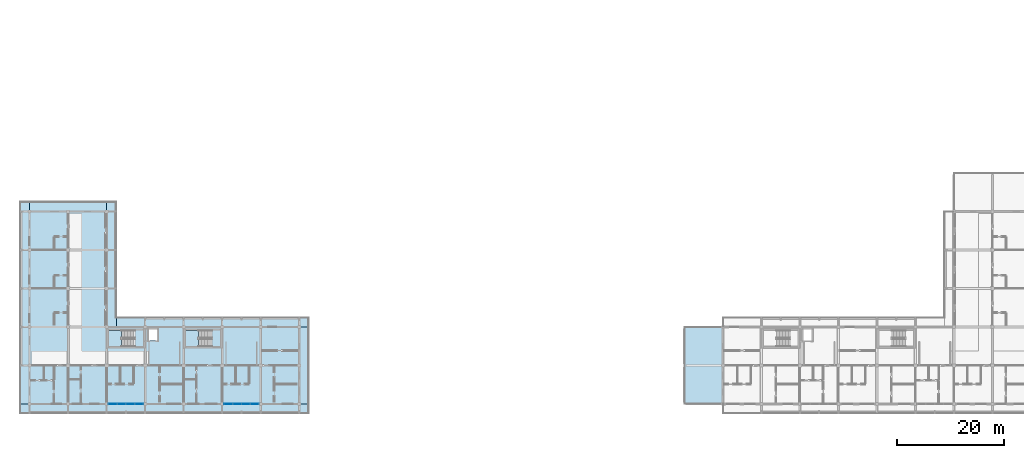
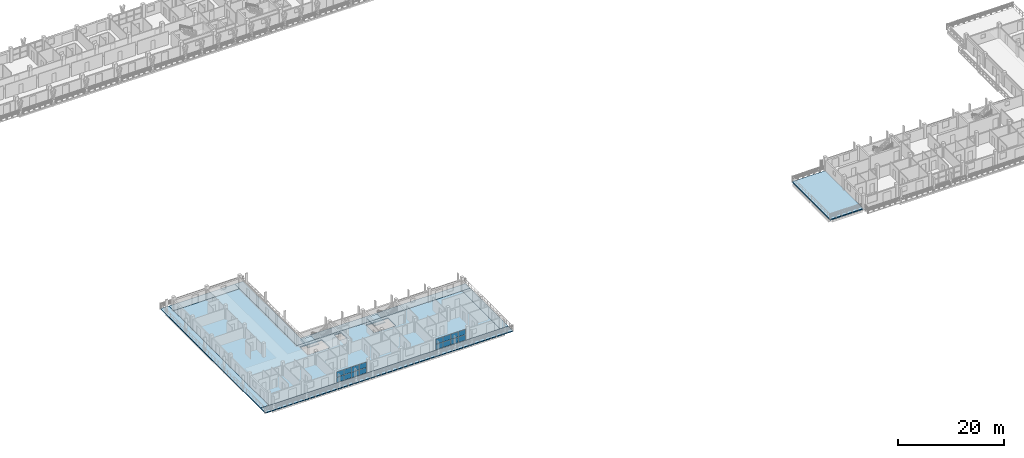
# One storey, part 33 of 75: 16 plates, 10 slabs, 4 elements without a shape of their own.
"""IFC4 building model written with IfcOpenShell, lengths in metres."""

import ifcopenshell
import ifcopenshell.guid

model = None  # the IFC model being written
_history = None  # IfcOwnerHistory: only IFC2X3 demands one
_inside = {}  # id of a spatial element -> (the spatial element, [elements in it])
_under = {}  # id of a project, library or spatial element -> (it, [spatial elements below it])
_declared = {}  # id of a project -> (the project, [libraries it declares])
_typed = {}  # id of a type object -> (the type object, [elements of that type])
_made_of = {}  # id of a material, layer set ... -> (it, [elements and type objects made of it])


def new_model(schema):
    """Start an empty IFC model of exactly this schema.

    Asked for "IFC4X3", IfcOpenShell would pick the latest addendum, in which some entities
    have other attributes; the version numbers below select the first issue.
    IFC2X3 requires an IfcOwnerHistory on every rooted entity: one is made here for all.
    """
    global model, _history
    if schema == "IFC4X3":
        model = ifcopenshell.file(schema_version=(4, 3, 0, 0))
    else:
        model = ifcopenshell.file(schema=schema)
    _inside.clear()
    _under.clear()
    _declared.clear()
    _typed.clear()
    _made_of.clear()
    _history = None
    if model.schema == "IFC2X3":
        org = make("IfcOrganization", Name="unknown")
        user = make(
            "IfcPersonAndOrganization",
            ThePerson=make("IfcPerson", FamilyName="unknown"),
            TheOrganization=org,
        )
        app = make(
            "IfcApplication",
            ApplicationDeveloper=org,
            Version="unknown",
            ApplicationFullName="unknown",
            ApplicationIdentifier="unknown",
        )
        _history = make(
            "IfcOwnerHistory",
            OwningUser=user,
            OwningApplication=app,
            ChangeAction="ADDED",
            CreationDate=0,
        )
    return model


def make(cls, **values):
    """One entity of the class cls with the attributes given. An attribute that is None is left unset."""
    return model.create_entity(
        cls, **{name: value for name, value in values.items() if value is not None}
    )


def rooted(cls, **values):
    """An entity with a GlobalId (a new one), such as an element, a storey or a relation."""
    return make(cls, GlobalId=ifcopenshell.guid.new(), OwnerHistory=_history, **values)


def si_unit(unit_type, name, prefix=None):
    """IfcSIUnit, for example si_unit("LENGTHUNIT", "METRE", prefix="MILLI")."""
    return make("IfcSIUnit", UnitType=unit_type, Prefix=prefix, Name=name)


def assignment(units):
    """IfcUnitAssignment: the units of a project."""
    return None if units is None else make("IfcUnitAssignment", Units=units)


def point(xyz):
    """IfcCartesianPoint."""
    return None if xyz is None else make("IfcCartesianPoint", Coordinates=xyz)


def direction(xyz):
    """IfcDirection."""
    return None if xyz is None else make("IfcDirection", DirectionRatios=xyz)


def frame(location, z_axis=None, x_axis=None):
    """IfcAxis2Placement3D, a coordinate frame: its origin and axes. An axis left out is left unset."""
    return make(
        "IfcAxis2Placement3D",
        Location=point(location),
        Axis=direction(z_axis),
        RefDirection=direction(x_axis),
    )


def frame_2d(location, x_axis=None):
    """IfcAxis2Placement2D, a coordinate frame in the plane: its origin and x axis."""
    return make(
        "IfcAxis2Placement2D", Location=point(location), RefDirection=direction(x_axis)
    )


def origin():
    """The frame at (0, 0, 0) with its axes left unset."""
    return frame((0.0, 0.0, 0.0))


def origin_2d():
    """The frame at (0, 0) in the plane with its x axis left unset."""
    return frame_2d((0.0, 0.0))


def place(relative_to, where):
    """IfcLocalPlacement: puts the frame where relative to a parent placement (None: the world)."""
    return make(
        "IfcLocalPlacement", PlacementRelTo=relative_to, RelativePlacement=where
    )


def context(
    kind, dimensions, precision=None, world=None, true_north=None, identifier=None
):
    """IfcGeometricRepresentationContext, for example the 3D "Model" context."""
    return make(
        "IfcGeometricRepresentationContext",
        ContextIdentifier=identifier,
        ContextType=kind,
        CoordinateSpaceDimension=dimensions,
        Precision=precision,
        WorldCoordinateSystem=world,
        TrueNorth=true_north,
    )


def subcontext(parent, identifier, kind, view, scale=None):
    """IfcGeometricRepresentationSubContext, for example "Body" below "Model"."""
    return make(
        "IfcGeometricRepresentationSubContext",
        ContextIdentifier=identifier,
        ContextType=kind,
        ParentContext=parent,
        TargetScale=scale,
        TargetView=view,
    )


def project(units=None, contexts=None):
    """IfcProject with its units and contexts."""
    return rooted(
        "IfcProject",
        Name="project",
        RepresentationContexts=contexts,
        UnitsInContext=assignment(units),
    )


def spatial(cls, under=None, at=None, **own):
    """A site, building, storey or space (cls), placed at a placement, below another one or the project."""
    s = rooted(cls, ObjectPlacement=at, **own)
    if under is not None:
        _under.setdefault(under.id(), (under, []))[1].append(s)
    return s


def polyline(points):
    """IfcPolyline through the points."""
    return make("IfcPolyline", Points=[point(p) for p in points])


def profile(cls, at=None, kind="AREA", **sizes):
    """A parametric profile (cls). Its sizes go by their IFC names, for example OverallWidth=200.0."""
    return make(cls, ProfileType=kind, Position=at, **sizes)


def rectangle(**sizes):
    """IfcRectangleProfileDef."""
    return profile("IfcRectangleProfileDef", **sizes)


def outline(outer, holes=None, kind="AREA"):
    """IfcArbitraryClosedProfileDef: a profile drawn as a closed curve; with holes, ...WithVoids."""
    if holes is None:
        return make("IfcArbitraryClosedProfileDef", ProfileType=kind, OuterCurve=outer)
    return make(
        "IfcArbitraryProfileDefWithVoids",
        ProfileType=kind,
        OuterCurve=outer,
        InnerCurves=holes,
    )


def extrude(swept, where, along, depth):
    """IfcExtrudedAreaSolid: the profile swept, set in the frame where, extruded along a direction by depth."""
    return make(
        "IfcExtrudedAreaSolid",
        SweptArea=swept,
        Position=where,
        ExtrudedDirection=direction(along),
        Depth=depth,
    )


def shape(context_of_items, identifier, shape_type, items):
    """IfcShapeRepresentation: the items that make up one representation, for example the "Body"."""
    return make(
        "IfcShapeRepresentation",
        ContextOfItems=context_of_items,
        RepresentationIdentifier=identifier,
        RepresentationType=shape_type,
        Items=items,
    )


def material(Name=None, Category=None):
    """IfcMaterial."""
    return make("IfcMaterial", Name=Name, Category=Category)


def layer(
    of_material, thickness, ventilated=None, Name=None, Category=None, Priority=None
):
    """IfcMaterialLayer: one layer of a wall or slab, of a material (None: an air gap)."""
    return make(
        "IfcMaterialLayer",
        Material=of_material,
        LayerThickness=thickness,
        IsVentilated=ventilated,
        Name=Name,
        Category=Category,
        Priority=Priority,
    )


def layer_set(layers, Name=None):
    """IfcMaterialLayerSet."""
    return make("IfcMaterialLayerSet", MaterialLayers=layers, LayerSetName=Name)


def made_of(thing, what):
    """Note that an element or type object is made of a material, layer set ...; save() writes the relation."""
    if what is not None:
        _made_of.setdefault(what.id(), (what, []))[1].append(thing)
    return thing


def type_object(cls, material=None, **own):
    """A type object (cls), such as IfcWallType, which elements share."""
    return made_of(rooted(cls, **own), material)


def element(
    cls,
    number,
    at=None,
    inside=None,
    cuts=None,
    type_object=None,
    material=None,
    context=None,
    identifier="Body",
    shape_type=None,
    held_by="IfcProductDefinitionShape",
    body=None,
    shapes=None,
    **own,
):
    """One element of the class cls, such as IfcWall. Its Tag is "e" and its number.

    at: its placement. inside: the storey or other place that contains it. cuts: it is an
    opening in that element (IfcRelVoidsElement). A single representation is given by context,
    identifier, shape_type and body (its items); several are given by shapes. held_by: the class
    of the entity that holds the representations. save() writes the other relations.
    """
    e = rooted(cls, Tag="e%d" % number, ObjectPlacement=at, **own)
    if body is not None:
        shapes = [shape(context, identifier, shape_type, body)]
    if shapes is not None:
        e.Representation = make(held_by, Representations=shapes)
    if inside is not None:
        _inside.setdefault(inside.id(), (inside, []))[1].append(e)
    if cuts is not None:
        rooted(
            "IfcRelVoidsElement", RelatingBuildingElement=cuts, RelatedOpeningElement=e
        )
    if type_object is not None:
        _typed.setdefault(type_object.id(), (type_object, []))[1].append(e)
    return made_of(e, material)


def aggregate(whole, parts):
    """IfcRelAggregates: a whole, such as a stair, and the parts it consists of."""
    return rooted("IfcRelAggregates", RelatingObject=whole, RelatedObjects=parts)


def save(model, path):
    """Write the relations noted so far, then the file.

    IfcRelAggregates (storeys below a building ...), IfcRelContainedInSpatialStructure (elements
    in a storey), IfcRelDefinesByType, IfcRelAssociatesMaterial and IfcRelDeclares: one each for
    every whole, place, type object, material and project.
    """
    for whole, parts in _under.values():
        aggregate(whole, parts)
    for where, things in _inside.values():
        rooted(
            "IfcRelContainedInSpatialStructure",
            RelatedElements=things,
            RelatingStructure=where,
        )
    for kind, things in _typed.values():
        rooted("IfcRelDefinesByType", RelatedObjects=things, RelatingType=kind)
    for what, things in _made_of.values():
        rooted("IfcRelAssociatesMaterial", RelatedObjects=things, RelatingMaterial=what)
    for by, libraries in _declared.values():
        rooted("IfcRelDeclares", RelatingContext=by, RelatedDefinitions=libraries)
    model.write(path)


model = new_model("IFC4")

# Units and contexts
model_context = context("Model", 3, precision=1e-05, world=origin(), true_north=direction((0.0, 1.0)))
body_context = subcontext(model_context, "Body", "Model", "MODEL_VIEW")
ifc_project = project(units=[si_unit("LENGTHUNIT", "METRE"), si_unit("AREAUNIT", "SQUARE_METRE"), si_unit("VOLUMEUNIT", "CUBIC_METRE"), si_unit("PLANEANGLEUNIT", "RADIAN"), si_unit("MASSUNIT", "GRAM", prefix="KILO")], contexts=[model_context])

# Site, building, storey
site_placement = place(None, origin())
site = spatial("IfcSite", under=ifc_project, at=site_placement, CompositionType="ELEMENT")
building_placement = place(site_placement, origin())
building = spatial("IfcBuilding", under=site, at=building_placement, Name="Suanplinth Sawtooth Commons", CompositionType="ELEMENT")
storey_placement = place(building_placement, frame((0.0, 0.0, 18.60009765625)))
storey = spatial("IfcBuildingStorey", under=building, at=storey_placement, Name="L05", CompositionType="ELEMENT", Elevation=18.60009765625)

# Curtain wall, plates
ifc_material_1 = material(Name="Anodized aluminium and low-E glazing", Category="aluminium")
curtain_wall_type = type_object("IfcCurtainWallType", Name="CW-06", PredefinedType="USERDEFINED", material=ifc_material_1)
curtain_wall_1_placement = place(storey_placement, origin())
curtain_wall_1 = element("IfcCurtainWall", 1, at=curtain_wall_1_placement, inside=storey, type_object=curtain_wall_type, Name="Curtain Wall CW-L05-D-LOUNGE-2", ObjectType="CURTAIN WALL", PredefinedType="USERDEFINED")
ifc_material_2 = material(Name="Tempered low-E double glazing", Category="glass")
ifc_layer_1 = layer(ifc_material_2, 0.028076171875, Name="Vision low-E insulated glazing unit 28mm")
ifc_layer_set_1 = layer_set([ifc_layer_1], Name="Tempered low-E double glazing")
plate_type = type_object("IfcPlateType", Name="PL-05", PredefinedType="CURTAIN_PANEL", material=ifc_layer_set_1)
plate_1_placement = place(storey_placement, frame((15.541259765625, 0.0, 0.06494140625), z_axis=(0.0, 0.0, 1.0), x_axis=(1.0, 0.0, 0.0)))
plate_1 = element("IfcPlate", 2, at=plate_1_placement, type_object=plate_type, Name="CW-06 panel 1.1", PredefinedType="CURTAIN_PANEL", context=body_context, shape_type="SweptSolid", body=[
    extrude(rectangle(XDim=1.552490234375, YDim=0.028076171875, at=origin_2d()), origin(), (0.0, 0.0, 1.0), 1.20751953125),
])
plate_2_placement = place(storey_placement, frame((15.541259765625, 0.0, 1.33740234375), z_axis=(0.0, 0.0, 1.0), x_axis=(1.0, 0.0, 0.0)))
plate_2 = element("IfcPlate", 3, at=plate_2_placement, type_object=plate_type, Name="CW-06 panel 1.2", PredefinedType="CURTAIN_PANEL", context=body_context, shape_type="SweptSolid", body=[
    extrude(rectangle(XDim=1.552490234375, YDim=0.028076171875, at=origin_2d()), origin(), (0.0, 0.0, 1.0), 1.20751953125),
])
plate_3_placement = place(storey_placement, frame((17.175048828125, 0.0, 0.06494140625), z_axis=(0.0, 0.0, 1.0), x_axis=(1.0, 0.0, 0.0)))
plate_3 = element("IfcPlate", 4, at=plate_3_placement, type_object=plate_type, Name="CW-06 panel 2.1", PredefinedType="CURTAIN_PANEL", context=body_context, shape_type="SweptSolid", body=[
    extrude(rectangle(XDim=1.5849609375, YDim=0.028076171875, at=origin_2d()), origin(), (0.0, 0.0, 1.0), 1.20751953125),
])
plate_4_placement = place(storey_placement, frame((17.175048828125, 0.0, 1.33740234375), z_axis=(0.0, 0.0, 1.0), x_axis=(1.0, 0.0, 0.0)))
plate_4 = element("IfcPlate", 5, at=plate_4_placement, type_object=plate_type, Name="CW-06 panel 2.2", PredefinedType="CURTAIN_PANEL", context=body_context, shape_type="SweptSolid", body=[
    extrude(rectangle(XDim=1.5849609375, YDim=0.028076171875, at=origin_2d()), origin(), (0.0, 0.0, 1.0), 1.20751953125),
])
plate_5_placement = place(storey_placement, frame((18.824951171875, 0.0, 0.06494140625), z_axis=(0.0, 0.0, 1.0), x_axis=(1.0, 0.0, 0.0)))
plate_5 = element("IfcPlate", 6, at=plate_5_placement, type_object=plate_type, Name="CW-06 panel 3.1", PredefinedType="CURTAIN_PANEL", context=body_context, shape_type="SweptSolid", body=[
    extrude(rectangle(XDim=1.5849609375, YDim=0.028076171875, at=origin_2d()), origin(), (0.0, 0.0, 1.0), 1.20751953125),
])
plate_6_placement = place(storey_placement, frame((18.824951171875, 0.0, 1.33740234375), z_axis=(0.0, 0.0, 1.0), x_axis=(1.0, 0.0, 0.0)))
plate_6 = element("IfcPlate", 7, at=plate_6_placement, type_object=plate_type, Name="CW-06 panel 3.2", PredefinedType="CURTAIN_PANEL", context=body_context, shape_type="SweptSolid", body=[
    extrude(rectangle(XDim=1.5849609375, YDim=0.028076171875, at=origin_2d()), origin(), (0.0, 0.0, 1.0), 1.20751953125),
])
plate_7_placement = place(storey_placement, frame((20.458740234375, 0.0, 0.06494140625), z_axis=(0.0, 0.0, 1.0), x_axis=(1.0, 0.0, 0.0)))
plate_7 = element("IfcPlate", 8, at=plate_7_placement, type_object=plate_type, Name="CW-06 panel 4.1", PredefinedType="CURTAIN_PANEL", context=body_context, shape_type="SweptSolid", body=[
    extrude(rectangle(XDim=1.552490234375, YDim=0.028076171875, at=origin_2d()), origin(), (0.0, 0.0, 1.0), 1.20751953125),
])
plate_8_placement = place(storey_placement, frame((20.458740234375, 0.0, 1.33740234375), z_axis=(0.0, 0.0, 1.0), x_axis=(1.0, 0.0, 0.0)))
plate_8 = element("IfcPlate", 9, at=plate_8_placement, type_object=plate_type, Name="CW-06 panel 4.2", PredefinedType="CURTAIN_PANEL", context=body_context, shape_type="SweptSolid", body=[
    extrude(rectangle(XDim=1.552490234375, YDim=0.028076171875, at=origin_2d()), origin(), (0.0, 0.0, 1.0), 1.20751953125),
])
aggregate(curtain_wall_1, [plate_1, plate_2, plate_3, plate_4, plate_5, plate_6, plate_7, plate_8])

curtain_wall_2_placement = place(storey_placement, origin())
curtain_wall_2 = element("IfcCurtainWall", 10, at=curtain_wall_2_placement, inside=storey, type_object=curtain_wall_type, Name="Curtain Wall CW-L05-D-LOUNGE-5", ObjectType="CURTAIN WALL", PredefinedType="USERDEFINED")
plate_9_placement = place(storey_placement, frame((37.141357421875, 0.0, 0.06494140625), z_axis=(0.0, 0.0, 1.0), x_axis=(1.0, 0.0, 0.0)))
plate_9 = element("IfcPlate", 11, at=plate_9_placement, type_object=plate_type, Name="CW-06 panel 1.1", PredefinedType="CURTAIN_PANEL", context=body_context, shape_type="SweptSolid", body=[
    extrude(rectangle(XDim=1.552490234375, YDim=0.028076171875, at=origin_2d()), origin(), (0.0, 0.0, 1.0), 1.20751953125),
])
plate_10_placement = place(storey_placement, frame((37.141357421875, 0.0, 1.33740234375), z_axis=(0.0, 0.0, 1.0), x_axis=(1.0, 0.0, 0.0)))
plate_10 = element("IfcPlate", 12, at=plate_10_placement, type_object=plate_type, Name="CW-06 panel 1.2", PredefinedType="CURTAIN_PANEL", context=body_context, shape_type="SweptSolid", body=[
    extrude(rectangle(XDim=1.552490234375, YDim=0.028076171875, at=origin_2d()), origin(), (0.0, 0.0, 1.0), 1.20751953125),
])
plate_11_placement = place(storey_placement, frame((38.77490234375, 0.0, 0.06494140625), z_axis=(0.0, 0.0, 1.0), x_axis=(1.0, 0.0, 0.0)))
plate_11 = element("IfcPlate", 13, at=plate_11_placement, type_object=plate_type, Name="CW-06 panel 2.1", PredefinedType="CURTAIN_PANEL", context=body_context, shape_type="SweptSolid", body=[
    extrude(rectangle(XDim=1.5849609375, YDim=0.028076171875, at=origin_2d()), origin(), (0.0, 0.0, 1.0), 1.20751953125),
])
plate_12_placement = place(storey_placement, frame((38.77490234375, 0.0, 1.33740234375), z_axis=(0.0, 0.0, 1.0), x_axis=(1.0, 0.0, 0.0)))
plate_12 = element("IfcPlate", 14, at=plate_12_placement, type_object=plate_type, Name="CW-06 panel 2.2", PredefinedType="CURTAIN_PANEL", context=body_context, shape_type="SweptSolid", body=[
    extrude(rectangle(XDim=1.5849609375, YDim=0.028076171875, at=origin_2d()), origin(), (0.0, 0.0, 1.0), 1.20751953125),
])
plate_13_placement = place(storey_placement, frame((40.425048828125, 0.0, 0.06494140625), z_axis=(0.0, 0.0, 1.0), x_axis=(1.0, 0.0, 0.0)))
plate_13 = element("IfcPlate", 15, at=plate_13_placement, type_object=plate_type, Name="CW-06 panel 3.1", PredefinedType="CURTAIN_PANEL", context=body_context, shape_type="SweptSolid", body=[
    extrude(rectangle(XDim=1.5849609375, YDim=0.028076171875, at=origin_2d()), origin(), (0.0, 0.0, 1.0), 1.20751953125),
])
plate_14_placement = place(storey_placement, frame((40.425048828125, 0.0, 1.33740234375), z_axis=(0.0, 0.0, 1.0), x_axis=(1.0, 0.0, 0.0)))
plate_14 = element("IfcPlate", 16, at=plate_14_placement, type_object=plate_type, Name="CW-06 panel 3.2", PredefinedType="CURTAIN_PANEL", context=body_context, shape_type="SweptSolid", body=[
    extrude(rectangle(XDim=1.5849609375, YDim=0.028076171875, at=origin_2d()), origin(), (0.0, 0.0, 1.0), 1.20751953125),
])
plate_15_placement = place(storey_placement, frame((42.058837890625, 0.0, 0.06494140625), z_axis=(0.0, 0.0, 1.0), x_axis=(1.0, 0.0, 0.0)))
plate_15 = element("IfcPlate", 17, at=plate_15_placement, type_object=plate_type, Name="CW-06 panel 4.1", PredefinedType="CURTAIN_PANEL", context=body_context, shape_type="SweptSolid", body=[
    extrude(rectangle(XDim=1.552490234375, YDim=0.028076171875, at=origin_2d()), origin(), (0.0, 0.0, 1.0), 1.20751953125),
])
plate_16_placement = place(storey_placement, frame((42.058837890625, 0.0, 1.33740234375), z_axis=(0.0, 0.0, 1.0), x_axis=(1.0, 0.0, 0.0)))
plate_16 = element("IfcPlate", 18, at=plate_16_placement, type_object=plate_type, Name="CW-06 panel 4.2", PredefinedType="CURTAIN_PANEL", context=body_context, shape_type="SweptSolid", body=[
    extrude(rectangle(XDim=1.552490234375, YDim=0.028076171875, at=origin_2d()), origin(), (0.0, 0.0, 1.0), 1.20751953125),
])
aggregate(curtain_wall_2, [plate_9, plate_10, plate_11, plate_12, plate_13, plate_14, plate_15, plate_16])

# Slabs
ifc_material_3 = material(Name="Precast concrete C40/50", Category="concrete")
ifc_layer_2 = layer(ifc_material_3, 0.179931640625, Name="Wrap-around cantilevered precast balcony slab 180mm")
ifc_layer_set_2 = layer_set([ifc_layer_2], Name="Precast concrete C40/50")
slab_type_1 = type_object("IfcSlabType", Name="S-BL01", PredefinedType="FLOOR", material=ifc_layer_set_2)
slab_1_placement = place(storey_placement, frame((0.0, 0.0, -0.18017578125)))
element("IfcSlab", 19, at=slab_1_placement, inside=storey, type_object=slab_type_1, Name="L05 Block D Wrap-Around Balcony S", PredefinedType="FLOOR", context=body_context, shape_type="SweptSolid", body=[
    extrude(outline(polyline([(52.199951171875, 0.0), (52.199951171875, -1.800048828125), (-1.800048828125, -1.800048828125), (-1.800048828125, 0.0), (52.199951171875, 0.0)])), origin(), (0.0, 0.0, 1.0), 0.18017578125),
])
slab_2_placement = place(storey_placement, frame((0.0, 0.0, -0.18017578125)))
element("IfcSlab", 20, at=slab_2_placement, inside=storey, type_object=slab_type_1, Name="L05 Block D Wrap-Around Balcony W", PredefinedType="FLOOR", context=body_context, shape_type="SweptSolid", body=[
    extrude(outline(polyline([(0.0, 0.0), (-1.800048828125, 0.0), (-1.800048828125, 37.800048828125), (0.0, 37.800048828125), (0.0, 0.0)])), origin(), (0.0, 0.0, 1.0), 0.18017578125),
])
slab_3_placement = place(storey_placement, frame((0.0, 0.0, -0.18017578125)))
element("IfcSlab", 21, at=slab_3_placement, inside=storey, type_object=slab_type_1, Name="L05 Block D Wrap-Around Balcony EEND", PredefinedType="FLOOR", context=body_context, shape_type="SweptSolid", body=[
    extrude(outline(polyline([(52.199951171875, 14.39990234375), (52.199951171875, 0.0), (50.39990234375, 0.0), (50.39990234375, 14.39990234375), (52.199951171875, 14.39990234375)])), origin(), (0.0, 0.0, 1.0), 0.18017578125),
])
slab_4_placement = place(storey_placement, frame((0.0, 0.0, -0.18017578125)))
element("IfcSlab", 22, at=slab_4_placement, inside=storey, type_object=slab_type_1, Name="L05 Block D Wrap-Around Balcony NEND", PredefinedType="FLOOR", context=body_context, shape_type="SweptSolid", body=[
    extrude(outline(polyline([(0.0, 37.800048828125), (14.39990234375, 37.800048828125), (14.39990234375, 36.0), (0.0, 36.0), (0.0, 37.800048828125)])), origin(), (0.0, 0.0, 1.0), 0.18017578125),
])
ifc_layer_3 = layer(ifc_material_3, 0.175048828125, Name="Courtyard cantilevered precast balcony slab 175mm")
ifc_layer_set_3 = layer_set([ifc_layer_3], Name="Precast concrete C40/50")
slab_type_2 = type_object("IfcSlabType", Name="S-BL02", PredefinedType="FLOOR", material=ifc_layer_set_3)
slab_5_placement = place(storey_placement, frame((0.0, 0.0, -0.175048828125)))
element("IfcSlab", 23, at=slab_5_placement, inside=storey, type_object=slab_type_2, Name="L05 Block D Wrap-Around Balcony NC", PredefinedType="FLOOR", context=body_context, shape_type="SweptSolid", body=[
    extrude(outline(polyline([(16.199951171875, 16.199951171875), (52.199951171875, 16.199951171875), (52.199951171875, 14.39990234375), (16.199951171875, 14.39990234375), (16.199951171875, 16.199951171875)])), origin(), (0.0, 0.0, 1.0), 0.175048828125),
])
slab_6_placement = place(storey_placement, frame((0.0, 0.0, -0.175048828125)))
element("IfcSlab", 24, at=slab_6_placement, inside=storey, type_object=slab_type_2, Name="L05 Block D Wrap-Around Balcony EC", PredefinedType="FLOOR", context=body_context, shape_type="SweptSolid", body=[
    extrude(outline(polyline([(14.39990234375, 37.800048828125), (16.199951171875, 37.800048828125), (16.199951171875, 14.39990234375), (14.39990234375, 14.39990234375), (14.39990234375, 37.800048828125)])), origin(), (0.0, 0.0, 1.0), 0.175048828125),
])
ifc_layer_4 = layer(ifc_material_3, 0.25, Name="Precast hollow-core + topping floor slab 250mm")
ifc_layer_set_4 = layer_set([ifc_layer_4], Name="Precast concrete C40/50")
slab_type_3 = type_object("IfcSlabType", Name="S-FL01", PredefinedType="FLOOR", material=ifc_layer_set_4)
slab_7_placement = place(storey_placement, frame((0.0, 0.0, -0.25)))
element("IfcSlab", 25, at=slab_7_placement, inside=storey, type_object=slab_type_3, Name="L05 Block D Structural Floor Plate", PredefinedType="FLOOR", context=body_context, shape_type="SweptSolid", body=[
    extrude(outline(polyline([(0.0, 0.0), (0.0, 36.0), (14.39990234375, 36.0), (14.39990234375, 14.39990234375), (50.39990234375, 14.39990234375), (50.39990234375, 0.0), (0.0, 0.0)]), holes=[polyline([(14.75, 10.75), (19.510009765625, 10.75), (19.510009765625, 13.75), (14.75, 13.75), (14.75, 10.75)]), polyline([(22.25, 11.85009765625), (23.85009765625, 11.85009765625), (23.85009765625, 13.949951171875), (22.25, 13.949951171875), (22.25, 11.85009765625)]), polyline([(29.14990234375, 10.75), (33.909912109375, 10.75), (33.909912109375, 13.75), (29.14990234375, 13.75), (29.14990234375, 10.75)])]), origin(), (0.0, 0.0, 1.0), 0.25),
])

# Stair, slab
ifc_material_4 = material(Name="Concrete C40/50", Category="concrete")
stair_type = type_object("IfcStairType", Name="ST-08", PredefinedType="USERDEFINED", material=ifc_material_4)
stair_1_placement = place(storey_placement, origin())
stair_1 = element("IfcStair", 26, at=stair_1_placement, inside=storey, type_object=stair_type, Name="L05 Exit Stair ST-W1", ObjectType="TWO_RETURN_STAIR", PredefinedType="USERDEFINED")
ifc_layer_5 = layer(ifc_material_4, 0.199951171875, Name="Reinforced concrete stair and ramp landing slab 200mm")
ifc_layer_set_5 = layer_set([ifc_layer_5], Name="Concrete C40/50")
slab_type_4 = type_object("IfcSlabType", Name="S-LD01", PredefinedType="LANDING", material=ifc_layer_set_5)
slab_8_placement = place(storey_placement, frame((0.0, 0.0, 1.449951171875)))
slab_8 = element("IfcSlab", 27, at=slab_8_placement, type_object=slab_type_4, Name="ST-08 landing 1", PredefinedType="LANDING", context=body_context, shape_type="SweptSolid", body=[
    extrude(outline(polyline([(17.18505859375, 13.75), (14.75, 13.75), (14.75, 10.75), (17.18505859375, 10.75), (17.18505859375, 13.75)])), origin(), (0.0, 0.0, 1.0), 0.199951171875),
])
aggregate(stair_1, [slab_8])

stair_2_placement = place(storey_placement, origin())
stair_2 = element("IfcStair", 28, at=stair_2_placement, inside=storey, type_object=stair_type, Name="L05 Exit Stair ST-W2", ObjectType="TWO_RETURN_STAIR", PredefinedType="USERDEFINED")
slab_9_placement = place(storey_placement, frame((0.0, 0.0, 1.449951171875)))
slab_9 = element("IfcSlab", 29, at=slab_9_placement, type_object=slab_type_4, Name="ST-08 landing 1", PredefinedType="LANDING", context=body_context, shape_type="SweptSolid", body=[
    extrude(outline(polyline([(31.5849609375, 13.75), (29.14990234375, 13.75), (29.14990234375, 10.75), (31.5849609375, 10.75), (31.5849609375, 13.75)])), origin(), (0.0, 0.0, 1.0), 0.199951171875),
])
aggregate(stair_2, [slab_9])

# Slab
ifc_layer_6 = layer(ifc_material_4, 0.239990234375, Name="Stepped sky-terrace & courtyard garden slab 240mm")
ifc_layer_set_6 = layer_set([ifc_layer_6], Name="Concrete C40/50")
slab_type_5 = type_object("IfcSlabType", Name="S-TR01", PredefinedType="FLOOR", material=ifc_layer_set_6)
slab_10_placement = place(storey_placement, frame((0.0, 0.0, -0.239990234375)))
element("IfcSlab", 30, at=slab_10_placement, inside=storey, type_object=slab_type_5, Name="L05 Block C Stepped Sky-Terrace 1", PredefinedType="FLOOR", context=body_context, shape_type="SweptSolid", body=[
    extrude(outline(polyline([(122.39990234375, 0.0), (122.39990234375, 14.39990234375), (129.60009765625, 14.39990234375), (129.60009765625, 0.0), (122.39990234375, 0.0)])), origin(), (0.0, 0.0, 1.0), 0.239990234375),
])

save(model, "model.ifc")
